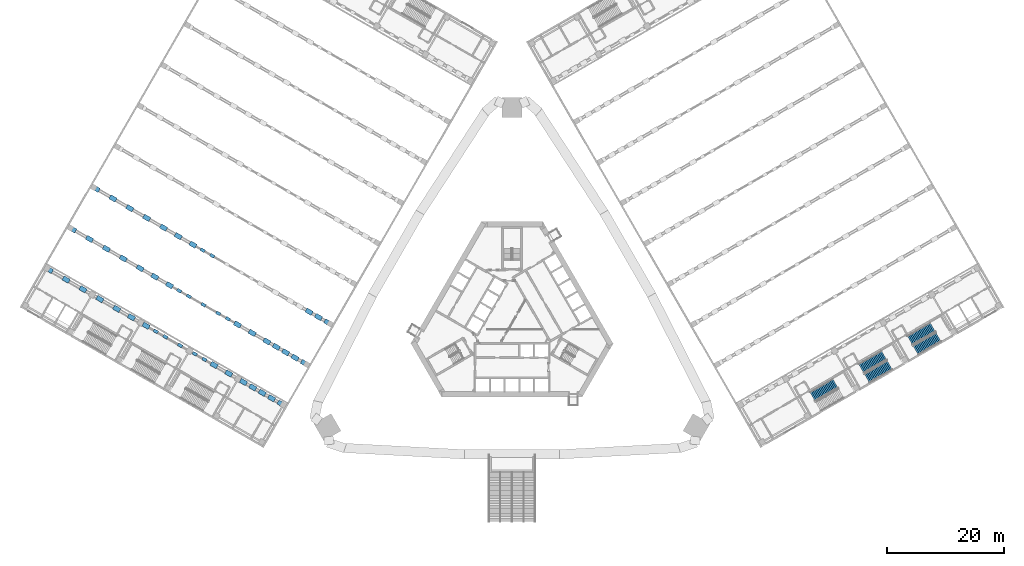
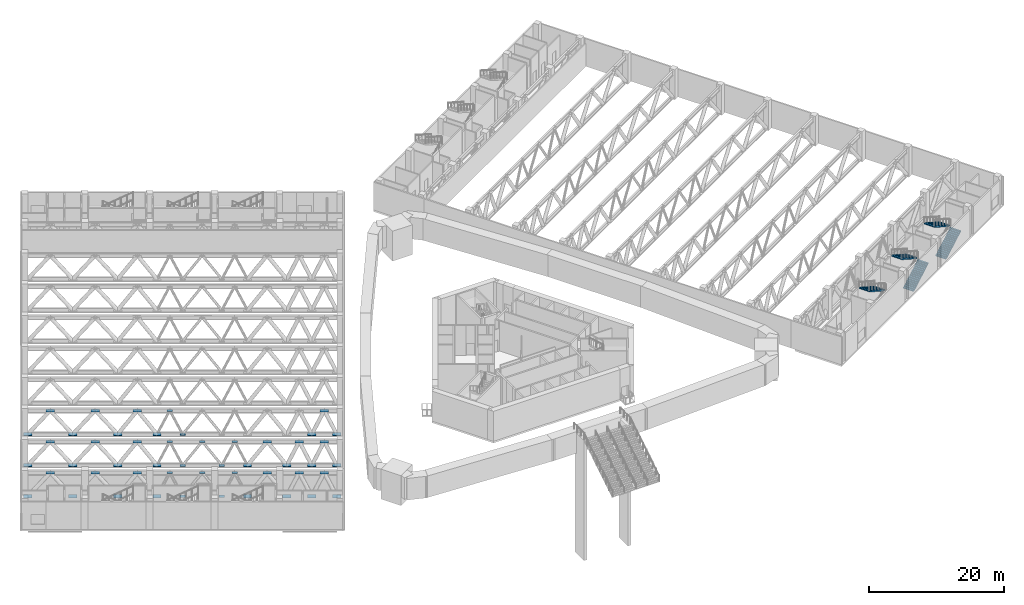
# One storey, part 26 of 37: 50 discrete accessories, 5 stair flights, 3 elements without a shape of their own.
"""IFC4 building model written with IfcOpenShell, lengths in metres."""

from ifc_helpers import new_model, si_unit, direction, frame, origin, place, context, subcontext, project, spatial, polyline, outline, extrude, material, layer, layer_set, type_object, element, aggregate, save


model = new_model("IFC4")

# Units and contexts
model_context = context("Model", 3, precision=1e-05, world=origin(), true_north=direction((0.0, 1.0)))
body_context = subcontext(model_context, "Body", "Model", "MODEL_VIEW")
ifc_project = project(units=[si_unit("LENGTHUNIT", "METRE"), si_unit("AREAUNIT", "SQUARE_METRE"), si_unit("VOLUMEUNIT", "CUBIC_METRE"), si_unit("PLANEANGLEUNIT", "RADIAN"), si_unit("MASSUNIT", "GRAM", prefix="KILO")], contexts=[model_context])

# Site, building, storey
site_placement = place(None, origin())
site = spatial("IfcSite", under=ifc_project, at=site_placement, CompositionType="ELEMENT")
building_placement = place(site_placement, origin())
building = spatial("IfcBuilding", under=site, at=building_placement, Name="Mestral Congress Tower", CompositionType="ELEMENT")
storey_placement = place(building_placement, frame((0.0, 0.0, 16.199951171875)))
storey = spatial("IfcBuildingStorey", under=building, at=storey_placement, Name="L03", CompositionType="ELEMENT", Elevation=16.199951171875)

# Stair, stair flight
ifc_material_1 = material(Name="Concrete C40/50", Category="concrete")
stair_type = type_object("IfcStairType", Name="Podium exit stair 1800", PredefinedType="HALF_TURN_STAIR", material=ifc_material_1)
placement_1 = place(storey_placement, origin())
stair_1 = element("IfcStair", 1, at=placement_1, inside=storey, type_object=stair_type, Name="L03 Exit stair E1", PredefinedType="HALF_TURN_STAIR")
stair_flight_type = type_object("IfcStairFlightType", Name="Podium exit stair flight 1800", PredefinedType="STRAIGHT", material=ifc_material_1)
stair_flight_1_placement = place(storey_placement, frame((55.2197265625, -10.727294921875, 2.699951171875), z_axis=(0.0, 0.0, 1.0), x_axis=(-0.866025403784, -0.5, 0.0)))
stair_flight_1 = element("IfcStairFlight", 2, at=stair_flight_1_placement, type_object=stair_flight_type, Name="PS-E1 flight 2", NumberOfRisers=17, NumberOfTreads=16, PredefinedType="STRAIGHT", RiserHeight=0.158823529, TreadLength=0.28, context=body_context, shape_type="SweptSolid", body=[
    extrude(outline(polyline([(0.0, 0.0), (0.0, 0.158935546875), (0.280029296875, 0.158935546875), (0.280029296875, 0.317626953125), (0.56005859375, 0.317626953125), (0.56005859375, 0.4765625), (0.840087890625, 0.4765625), (0.840087890625, 0.63525390625), (1.1201171875, 0.63525390625), (1.1201171875, 0.794189453125), (1.39990234375, 0.794189453125), (1.39990234375, 0.952880859375), (1.679931640625, 0.952880859375), (1.679931640625, 1.11181640625), (1.9599609375, 1.11181640625), (1.9599609375, 1.2705078125), (2.239990234375, 1.2705078125), (2.239990234375, 1.429443359375), (2.52001953125, 1.429443359375), (2.52001953125, 1.588134765625), (2.800048828125, 1.588134765625), (2.800048828125, 1.7470703125), (3.080078125, 1.7470703125), (3.080078125, 1.90576171875), (3.360107421875, 1.90576171875), (3.360107421875, 2.064697265625), (3.639892578125, 2.064697265625), (3.639892578125, 2.2236328125), (3.919921875, 2.2236328125), (3.919921875, 2.38232421875), (4.199951171875, 2.38232421875), (4.199951171875, 2.541259765625), (4.47998046875, 2.541259765625), (4.47998046875, 2.699951171875), (4.47998046875, 2.368896484375), (0.3037109375, 0.0), (0.0, 0.0)])), frame((0.0, 0.89990234375, 0.0), z_axis=(0.0, -1.0, 0.0), x_axis=(1.0, 0.0, 0.0)), (0.0, 0.0, 1.0), 1.800048828125),
])
aggregate(stair_1, [stair_flight_1])

# Stair, stair flights
stair_2 = element("IfcStair", 3, at=placement_1, inside=storey, type_object=stair_type, Name="L03 Exit stair E2", PredefinedType="HALF_TURN_STAIR")
stair_flight_2_placement = place(storey_placement, frame((60.628662109375, -9.85595703125, 0.0), z_axis=(0.0, 0.0, 1.0), x_axis=(0.866025403784, 0.5, 0.0)))
stair_flight_2 = element("IfcStairFlight", 4, at=stair_flight_2_placement, type_object=stair_flight_type, Name="PS-E2 flight 1", NumberOfRisers=17, NumberOfTreads=16, PredefinedType="STRAIGHT", RiserHeight=0.158823529, TreadLength=0.28, context=body_context, shape_type="SweptSolid", body=[
    extrude(outline(polyline([(0.0, 0.0), (0.0, 0.158935546875), (0.280029296875, 0.158935546875), (0.280029296875, 0.317626953125), (0.56005859375, 0.317626953125), (0.56005859375, 0.4765625), (0.840087890625, 0.4765625), (0.840087890625, 0.63525390625), (1.1201171875, 0.63525390625), (1.1201171875, 0.794189453125), (1.39990234375, 0.794189453125), (1.39990234375, 0.952880859375), (1.679931640625, 0.952880859375), (1.679931640625, 1.11181640625), (1.9599609375, 1.11181640625), (1.9599609375, 1.2705078125), (2.239990234375, 1.2705078125), (2.239990234375, 1.429443359375), (2.52001953125, 1.429443359375), (2.52001953125, 1.588134765625), (2.800048828125, 1.588134765625), (2.800048828125, 1.7470703125), (3.080078125, 1.7470703125), (3.080078125, 1.90576171875), (3.360107421875, 1.90576171875), (3.360107421875, 2.064697265625), (3.639892578125, 2.064697265625), (3.639892578125, 2.2236328125), (3.919921875, 2.2236328125), (3.919921875, 2.38232421875), (4.199951171875, 2.38232421875), (4.199951171875, 2.541259765625), (4.47998046875, 2.541259765625), (4.47998046875, 2.699951171875), (4.47998046875, 2.368896484375), (0.3037109375, 0.0), (0.0, 0.0)])), frame((0.0, 0.89990234375, 0.0), z_axis=(0.0, -1.0, 0.0), x_axis=(1.0, 0.0, 0.0)), (0.0, 0.0, 1.0), 1.800048828125),
])
stair_flight_3_placement = place(storey_placement, frame((63.533447265625, -5.92724609375, 2.699951171875), z_axis=(0.0, 0.0, 1.0), x_axis=(-0.866025403784, -0.5, 0.0)))
stair_flight_3 = element("IfcStairFlight", 5, at=stair_flight_3_placement, type_object=stair_flight_type, Name="PS-E2 flight 2", NumberOfRisers=17, NumberOfTreads=16, PredefinedType="STRAIGHT", RiserHeight=0.158823529, TreadLength=0.28, context=body_context, shape_type="SweptSolid", body=[
    extrude(outline(polyline([(0.0, 0.0), (0.0, 0.158935546875), (0.280029296875, 0.158935546875), (0.280029296875, 0.317626953125), (0.56005859375, 0.317626953125), (0.56005859375, 0.4765625), (0.840087890625, 0.4765625), (0.840087890625, 0.63525390625), (1.1201171875, 0.63525390625), (1.1201171875, 0.794189453125), (1.39990234375, 0.794189453125), (1.39990234375, 0.952880859375), (1.679931640625, 0.952880859375), (1.679931640625, 1.11181640625), (1.9599609375, 1.11181640625), (1.9599609375, 1.2705078125), (2.239990234375, 1.2705078125), (2.239990234375, 1.429443359375), (2.52001953125, 1.429443359375), (2.52001953125, 1.588134765625), (2.800048828125, 1.588134765625), (2.800048828125, 1.7470703125), (3.080078125, 1.7470703125), (3.080078125, 1.90576171875), (3.360107421875, 1.90576171875), (3.360107421875, 2.064697265625), (3.639892578125, 2.064697265625), (3.639892578125, 2.2236328125), (3.919921875, 2.2236328125), (3.919921875, 2.38232421875), (4.199951171875, 2.38232421875), (4.199951171875, 2.541259765625), (4.47998046875, 2.541259765625), (4.47998046875, 2.699951171875), (4.47998046875, 2.368896484375), (0.3037109375, 0.0), (0.0, 0.0)])), frame((0.0, 0.89990234375, 0.0), z_axis=(0.0, -1.0, 0.0), x_axis=(1.0, 0.0, 0.0)), (0.0, 0.0, 1.0), 1.800048828125),
])
aggregate(stair_2, [stair_flight_2, stair_flight_3])

stair_3 = element("IfcStair", 6, at=placement_1, inside=storey, type_object=stair_type, Name="L03 Exit stair E3", PredefinedType="HALF_TURN_STAIR")
stair_flight_4_placement = place(storey_placement, frame((68.942626953125, -5.05615234375, 0.0), z_axis=(0.0, 0.0, 1.0), x_axis=(0.866025403784, 0.5, 0.0)))
stair_flight_4 = element("IfcStairFlight", 7, at=stair_flight_4_placement, type_object=stair_flight_type, Name="PS-E3 flight 1", NumberOfRisers=17, NumberOfTreads=16, PredefinedType="STRAIGHT", RiserHeight=0.158823529, TreadLength=0.28, context=body_context, shape_type="SweptSolid", body=[
    extrude(outline(polyline([(0.0, 0.0), (0.0, 0.158935546875), (0.280029296875, 0.158935546875), (0.280029296875, 0.317626953125), (0.56005859375, 0.317626953125), (0.56005859375, 0.4765625), (0.840087890625, 0.4765625), (0.840087890625, 0.63525390625), (1.1201171875, 0.63525390625), (1.1201171875, 0.794189453125), (1.39990234375, 0.794189453125), (1.39990234375, 0.952880859375), (1.679931640625, 0.952880859375), (1.679931640625, 1.11181640625), (1.9599609375, 1.11181640625), (1.9599609375, 1.2705078125), (2.239990234375, 1.2705078125), (2.239990234375, 1.429443359375), (2.52001953125, 1.429443359375), (2.52001953125, 1.588134765625), (2.800048828125, 1.588134765625), (2.800048828125, 1.7470703125), (3.080078125, 1.7470703125), (3.080078125, 1.90576171875), (3.360107421875, 1.90576171875), (3.360107421875, 2.064697265625), (3.639892578125, 2.064697265625), (3.639892578125, 2.2236328125), (3.919921875, 2.2236328125), (3.919921875, 2.38232421875), (4.199951171875, 2.38232421875), (4.199951171875, 2.541259765625), (4.47998046875, 2.541259765625), (4.47998046875, 2.699951171875), (4.47998046875, 2.368896484375), (0.3037109375, 0.0), (0.0, 0.0)])), frame((0.0, 0.89990234375, 0.0), z_axis=(0.0, -1.0, 0.0), x_axis=(1.0, 0.0, 0.0)), (0.0, 0.0, 1.0), 1.800048828125),
])
stair_flight_5_placement = place(storey_placement, frame((71.847412109375, -1.12744140625, 2.699951171875), z_axis=(0.0, 0.0, 1.0), x_axis=(-0.866025403784, -0.5, 0.0)))
stair_flight_5 = element("IfcStairFlight", 8, at=stair_flight_5_placement, type_object=stair_flight_type, Name="PS-E3 flight 2", NumberOfRisers=17, NumberOfTreads=16, PredefinedType="STRAIGHT", RiserHeight=0.158823529, TreadLength=0.28, context=body_context, shape_type="SweptSolid", body=[
    extrude(outline(polyline([(0.0, 0.0), (0.0, 0.158935546875), (0.280029296875, 0.158935546875), (0.280029296875, 0.317626953125), (0.56005859375, 0.317626953125), (0.56005859375, 0.4765625), (0.840087890625, 0.4765625), (0.840087890625, 0.63525390625), (1.1201171875, 0.63525390625), (1.1201171875, 0.794189453125), (1.39990234375, 0.794189453125), (1.39990234375, 0.952880859375), (1.679931640625, 0.952880859375), (1.679931640625, 1.11181640625), (1.9599609375, 1.11181640625), (1.9599609375, 1.2705078125), (2.239990234375, 1.2705078125), (2.239990234375, 1.429443359375), (2.52001953125, 1.429443359375), (2.52001953125, 1.588134765625), (2.800048828125, 1.588134765625), (2.800048828125, 1.7470703125), (3.080078125, 1.7470703125), (3.080078125, 1.90576171875), (3.360107421875, 1.90576171875), (3.360107421875, 2.064697265625), (3.639892578125, 2.064697265625), (3.639892578125, 2.2236328125), (3.919921875, 2.2236328125), (3.919921875, 2.38232421875), (4.199951171875, 2.38232421875), (4.199951171875, 2.541259765625), (4.47998046875, 2.541259765625), (4.47998046875, 2.699951171875), (4.47998046875, 2.368896484375), (0.3037109375, 0.0), (0.0, 0.0)])), frame((0.0, 0.89990234375, 0.0), z_axis=(0.0, -1.0, 0.0), x_axis=(1.0, 0.0, 0.0)), (0.0, 0.0, 1.0), 1.800048828125),
])
aggregate(stair_3, [stair_flight_4, stair_flight_5])

# Discrete accessories
ifc_material_2 = material(Name="Steel S355", Category="steel")
ifc_layer_1 = layer(ifc_material_2, 0.02490234375)
ifc_layer_set_1 = layer_set([ifc_layer_1], Name="Steel S355")
discrete_accessory_type_1 = type_object("IfcDiscreteAccessoryType", Name="Brace end gusset plate 25 S355", PredefinedType="BRACKET", material=ifc_layer_set_1)
placement_2 = place(storey_placement, frame((0.0, 0.0, 4.6875)))
element("IfcDiscreteAccessory", 9, at=placement_2, inside=storey, type_object=discrete_accessory_type_1, Name="Brace end gusset plate 25 S355", PredefinedType="BRACKET", context=body_context, shape_type="SweptSolid", body=[
    extrude(outline(polyline([(-61.3251953125, -1.849365234375), (-60.62109375, -2.255859375), (-60.357177734375, -1.798095703125), (-61.06103515625, -1.391845703125), (-61.3251953125, -1.849365234375)])), origin(), (0.0, 0.0, 1.0), 0.025146484375),
])
placement_3 = place(storey_placement, frame((0.0, 0.0, 0.387451171875)))
element("IfcDiscreteAccessory", 10, at=placement_3, inside=storey, type_object=discrete_accessory_type_1, Name="Brace end gusset plate 25 S355", PredefinedType="BRACKET", context=body_context, shape_type="SweptSolid", body=[
    extrude(outline(polyline([(-59.6796875, -2.79931640625), (-58.9755859375, -3.205810546875), (-58.711669921875, -2.748291015625), (-59.41552734375, -2.341796875), (-59.6796875, -2.79931640625)])), origin(), (0.0, 0.0, 1.0), 0.025146484375),
])
element("IfcDiscreteAccessory", 11, at=placement_2, inside=storey, type_object=discrete_accessory_type_1, Name="Brace end gusset plate 25 S355", PredefinedType="BRACKET", context=body_context, shape_type="SweptSolid", body=[
    extrude(outline(polyline([(-57.3251953125, 5.078857421875), (-56.62109375, 4.67236328125), (-56.357177734375, 5.1298828125), (-57.06103515625, 5.536376953125), (-57.3251953125, 5.078857421875)])), origin(), (0.0, 0.0, 1.0), 0.025146484375),
])
element("IfcDiscreteAccessory", 12, at=placement_2, inside=storey, type_object=discrete_accessory_type_1, Name="Brace end gusset plate 25 S355", PredefinedType="BRACKET", context=body_context, shape_type="SweptSolid", body=[
    extrude(outline(polyline([(-57.168212890625, -4.24951171875), (-56.464111328125, -4.65576171875), (-56.2001953125, -4.1982421875), (-56.904052734375, -3.791748046875), (-57.168212890625, -4.24951171875)])), origin(), (0.0, 0.0, 1.0), 0.025146484375),
])
element("IfcDiscreteAccessory", 13, at=placement_3, inside=storey, type_object=discrete_accessory_type_1, Name="Brace end gusset plate 25 S355", PredefinedType="BRACKET", context=body_context, shape_type="SweptSolid", body=[
    extrude(outline(polyline([(-55.6796875, 4.12890625), (-54.9755859375, 3.722412109375), (-54.711669921875, 4.179931640625), (-55.41552734375, 4.58642578125), (-55.6796875, 4.12890625)])), origin(), (0.0, 0.0, 1.0), 0.025146484375),
])
element("IfcDiscreteAccessory", 14, at=placement_3, inside=storey, type_object=discrete_accessory_type_1, Name="Brace end gusset plate 25 S355", PredefinedType="BRACKET", context=body_context, shape_type="SweptSolid", body=[
    extrude(outline(polyline([(-54.65673828125, -5.699462890625), (-53.952880859375, -6.105712890625), (-53.688720703125, -5.648193359375), (-54.392578125, -5.24169921875), (-54.65673828125, -5.699462890625)])), origin(), (0.0, 0.0, 1.0), 0.025146484375),
])
element("IfcDiscreteAccessory", 15, at=placement_2, inside=storey, type_object=discrete_accessory_type_1, Name="Brace end gusset plate 25 S355", PredefinedType="BRACKET", context=body_context, shape_type="SweptSolid", body=[
    extrude(outline(polyline([(-53.3251953125, 12.007080078125), (-52.62109375, 11.6005859375), (-52.357177734375, 12.05810546875), (-53.06103515625, 12.464599609375), (-53.3251953125, 12.007080078125)])), origin(), (0.0, 0.0, 1.0), 0.025146484375),
])
element("IfcDiscreteAccessory", 16, at=placement_2, inside=storey, type_object=discrete_accessory_type_1, Name="Brace end gusset plate 25 S355", PredefinedType="BRACKET", context=body_context, shape_type="SweptSolid", body=[
    extrude(outline(polyline([(-53.168212890625, 2.6787109375), (-52.464111328125, 2.2724609375), (-52.2001953125, 2.72998046875), (-52.904052734375, 3.136474609375), (-53.168212890625, 2.6787109375)])), origin(), (0.0, 0.0, 1.0), 0.025146484375),
])
element("IfcDiscreteAccessory", 17, at=placement_2, inside=storey, type_object=discrete_accessory_type_1, Name="Brace end gusset plate 25 S355", PredefinedType="BRACKET", context=body_context, shape_type="SweptSolid", body=[
    extrude(outline(polyline([(-53.01123046875, -6.6494140625), (-52.307373046875, -7.055908203125), (-52.043212890625, -6.59814453125), (-52.7470703125, -6.19189453125), (-53.01123046875, -6.6494140625)])), origin(), (0.0, 0.0, 1.0), 0.025146484375),
])
element("IfcDiscreteAccessory", 18, at=placement_3, inside=storey, type_object=discrete_accessory_type_1, Name="Brace end gusset plate 25 S355", PredefinedType="BRACKET", context=body_context, shape_type="SweptSolid", body=[
    extrude(outline(polyline([(-51.6796875, 11.056884765625), (-50.9755859375, 10.650634765625), (-50.711669921875, 11.108154296875), (-51.41552734375, 11.5146484375), (-51.6796875, 11.056884765625)])), origin(), (0.0, 0.0, 1.0), 0.025146484375),
])
element("IfcDiscreteAccessory", 19, at=placement_3, inside=storey, type_object=discrete_accessory_type_1, Name="Brace end gusset plate 25 S355", PredefinedType="BRACKET", context=body_context, shape_type="SweptSolid", body=[
    extrude(outline(polyline([(-50.65673828125, 1.228759765625), (-49.952880859375, 0.822509765625), (-49.688720703125, 1.280029296875), (-50.392578125, 1.686279296875), (-50.65673828125, 1.228759765625)])), origin(), (0.0, 0.0, 1.0), 0.025146484375),
])
element("IfcDiscreteAccessory", 20, at=placement_2, inside=storey, type_object=discrete_accessory_type_1, Name="Brace end gusset plate 25 S355", PredefinedType="BRACKET", context=body_context, shape_type="SweptSolid", body=[
    extrude(outline(polyline([(-49.01123046875, 0.27880859375), (-48.307373046875, -0.127685546875), (-48.043212890625, 0.330078125), (-48.7470703125, 0.736328125), (-49.01123046875, 0.27880859375)])), origin(), (0.0, 0.0, 1.0), 0.025146484375),
])
ifc_layer_2 = layer(ifc_material_2, 0.034912109375)
ifc_layer_set_2 = layer_set([ifc_layer_2], Name="Steel S355")
discrete_accessory_type_2 = type_object("IfcDiscreteAccessoryType", Name="Brace end gusset plate 35 S355", PredefinedType="BRACKET", material=ifc_layer_set_2)
placement_4 = place(storey_placement, frame((0.0, 0.0, 0.382568359375)))
element("IfcDiscreteAccessory", 21, at=placement_4, inside=storey, type_object=discrete_accessory_type_2, Name="Brace end gusset plate 35 S355", PredefinedType="BRACKET", context=body_context, shape_type="SweptSolid", body=[
    extrude(outline(polyline([(-79.754150390625, 8.6376953125), (-78.697509765625, 8.02783203125), (-78.301025390625, 8.714599609375), (-79.357666015625, 9.32470703125), (-79.754150390625, 8.6376953125)])), origin(), (0.0, 0.0, 1.0), 0.034912109375),
])
placement_5 = place(storey_placement, frame((0.0, 0.0, 4.6826171875)))
element("IfcDiscreteAccessory", 22, at=placement_5, inside=storey, type_object=discrete_accessory_type_2, Name="Brace end gusset plate 35 S355", PredefinedType="BRACKET", context=body_context, shape_type="SweptSolid", body=[
    extrude(outline(polyline([(-76.87451171875, 6.975341796875), (-75.818115234375, 6.365234375), (-75.421630859375, 7.052001953125), (-76.47802734375, 7.662109375), (-76.87451171875, 6.975341796875)])), origin(), (0.0, 0.0, 1.0), 0.034912109375),
])
element("IfcDiscreteAccessory", 23, at=placement_4, inside=storey, type_object=discrete_accessory_type_2, Name="Brace end gusset plate 35 S355", PredefinedType="BRACKET", context=body_context, shape_type="SweptSolid", body=[
    extrude(outline(polyline([(-75.754150390625, 15.56591796875), (-74.697509765625, 14.9560546875), (-74.301025390625, 15.642822265625), (-75.357666015625, 16.252685546875), (-75.754150390625, 15.56591796875)])), origin(), (0.0, 0.0, 1.0), 0.034912109375),
])
element("IfcDiscreteAccessory", 24, at=placement_4, inside=storey, type_object=discrete_accessory_type_2, Name="Brace end gusset plate 35 S355", PredefinedType="BRACKET", context=body_context, shape_type="SweptSolid", body=[
    extrude(outline(polyline([(-73.9951171875, 5.312744140625), (-72.9384765625, 4.702880859375), (-72.5419921875, 5.3896484375), (-73.598388671875, 5.99951171875), (-73.9951171875, 5.312744140625)])), origin(), (0.0, 0.0, 1.0), 0.034912109375),
])
element("IfcDiscreteAccessory", 25, at=placement_5, inside=storey, type_object=discrete_accessory_type_2, Name="Brace end gusset plate 35 S355", PredefinedType="BRACKET", context=body_context, shape_type="SweptSolid", body=[
    extrude(outline(polyline([(-72.87451171875, 13.903564453125), (-71.818115234375, 13.29345703125), (-71.421630859375, 13.980224609375), (-72.47802734375, 14.59033203125), (-72.87451171875, 13.903564453125)])), origin(), (0.0, 0.0, 1.0), 0.034912109375),
])
element("IfcDiscreteAccessory", 26, at=placement_4, inside=storey, type_object=discrete_accessory_type_2, Name="Brace end gusset plate 35 S355", PredefinedType="BRACKET", context=body_context, shape_type="SweptSolid", body=[
    extrude(outline(polyline([(-71.754150390625, 22.494140625), (-70.697509765625, 21.88427734375), (-70.301025390625, 22.571044921875), (-71.357666015625, 23.180908203125), (-71.754150390625, 22.494140625)])), origin(), (0.0, 0.0, 1.0), 0.034912109375),
])
element("IfcDiscreteAccessory", 27, at=placement_5, inside=storey, type_object=discrete_accessory_type_2, Name="Brace end gusset plate 35 S355", PredefinedType="BRACKET", context=body_context, shape_type="SweptSolid", body=[
    extrude(outline(polyline([(-71.115478515625, 3.650390625), (-70.05908203125, 3.040283203125), (-69.66259765625, 3.72705078125), (-70.718994140625, 4.337158203125), (-71.115478515625, 3.650390625)])), origin(), (0.0, 0.0, 1.0), 0.034912109375),
])
element("IfcDiscreteAccessory", 28, at=placement_4, inside=storey, type_object=discrete_accessory_type_2, Name="Brace end gusset plate 35 S355", PredefinedType="BRACKET", context=body_context, shape_type="SweptSolid", body=[
    extrude(outline(polyline([(-69.9951171875, 12.240966796875), (-68.9384765625, 11.631103515625), (-68.5419921875, 12.31787109375), (-69.598388671875, 12.927734375), (-69.9951171875, 12.240966796875)])), origin(), (0.0, 0.0, 1.0), 0.034912109375),
])
element("IfcDiscreteAccessory", 29, at=placement_5, inside=storey, type_object=discrete_accessory_type_2, Name="Brace end gusset plate 35 S355", PredefinedType="BRACKET", context=body_context, shape_type="SweptSolid", body=[
    extrude(outline(polyline([(-68.87451171875, 20.831787109375), (-67.818115234375, 20.2216796875), (-67.421630859375, 20.908447265625), (-68.47802734375, 21.5185546875), (-68.87451171875, 20.831787109375)])), origin(), (0.0, 0.0, 1.0), 0.034912109375),
])
element("IfcDiscreteAccessory", 30, at=placement_4, inside=storey, type_object=discrete_accessory_type_2, Name="Brace end gusset plate 35 S355", PredefinedType="BRACKET", context=body_context, shape_type="SweptSolid", body=[
    extrude(outline(polyline([(-68.236083984375, 1.98779296875), (-67.179443359375, 1.377685546875), (-66.782958984375, 2.064697265625), (-67.839599609375, 2.674560546875), (-68.236083984375, 1.98779296875)])), origin(), (0.0, 0.0, 1.0), 0.034912109375),
])
element("IfcDiscreteAccessory", 31, at=placement_5, inside=storey, type_object=discrete_accessory_type_2, Name="Brace end gusset plate 35 S355", PredefinedType="BRACKET", context=body_context, shape_type="SweptSolid", body=[
    extrude(outline(polyline([(-67.115478515625, 10.57861328125), (-66.05908203125, 9.968505859375), (-65.66259765625, 10.6552734375), (-66.718994140625, 11.265380859375), (-67.115478515625, 10.57861328125)])), origin(), (0.0, 0.0, 1.0), 0.034912109375),
])
element("IfcDiscreteAccessory", 32, at=placement_4, inside=storey, type_object=discrete_accessory_type_2, Name="Brace end gusset plate 35 S355", PredefinedType="BRACKET", context=body_context, shape_type="SweptSolid", body=[
    extrude(outline(polyline([(-65.9951171875, 19.169189453125), (-64.9384765625, 18.55908203125), (-64.5419921875, 19.24609375), (-65.598388671875, 19.85595703125), (-65.9951171875, 19.169189453125)])), origin(), (0.0, 0.0, 1.0), 0.034912109375),
])
element("IfcDiscreteAccessory", 33, at=placement_5, inside=storey, type_object=discrete_accessory_type_2, Name="Brace end gusset plate 35 S355", PredefinedType="BRACKET", context=body_context, shape_type="SweptSolid", body=[
    extrude(outline(polyline([(-65.724609375, 0.537841796875), (-64.66796875, -0.072265625), (-64.271484375, 0.614501953125), (-65.327880859375, 1.224609375), (-65.724609375, 0.537841796875)])), origin(), (0.0, 0.0, 1.0), 0.034912109375),
])
element("IfcDiscreteAccessory", 34, at=placement_4, inside=storey, type_object=discrete_accessory_type_2, Name="Brace end gusset plate 35 S355", PredefinedType="BRACKET", context=body_context, shape_type="SweptSolid", body=[
    extrude(outline(polyline([(-64.236083984375, 8.916015625), (-63.179443359375, 8.305908203125), (-62.782958984375, 8.992919921875), (-63.839599609375, 9.602783203125), (-64.236083984375, 8.916015625)])), origin(), (0.0, 0.0, 1.0), 0.034912109375),
])
element("IfcDiscreteAccessory", 35, at=placement_4, inside=storey, type_object=discrete_accessory_type_2, Name="Brace end gusset plate 35 S355", PredefinedType="BRACKET", context=body_context, shape_type="SweptSolid", body=[
    extrude(outline(polyline([(-61.760009765625, -0.83544921875), (-62.81640625, -0.225341796875), (-63.212890625, -0.912109375), (-62.156494140625, -1.522216796875), (-61.760009765625, -0.83544921875)])), origin(), (0.0, 0.0, 1.0), 0.034912109375),
])
element("IfcDiscreteAccessory", 36, at=placement_5, inside=storey, type_object=discrete_accessory_type_2, Name="Brace end gusset plate 35 S355", PredefinedType="BRACKET", context=body_context, shape_type="SweptSolid", body=[
    extrude(outline(polyline([(-63.115478515625, 17.506591796875), (-62.05908203125, 16.896728515625), (-61.66259765625, 17.58349609375), (-62.718994140625, 18.193603515625), (-63.115478515625, 17.506591796875)])), origin(), (0.0, 0.0, 1.0), 0.034912109375),
])
element("IfcDiscreteAccessory", 37, at=placement_5, inside=storey, type_object=discrete_accessory_type_2, Name="Brace end gusset plate 35 S355", PredefinedType="BRACKET", context=body_context, shape_type="SweptSolid", body=[
    extrude(outline(polyline([(-61.724609375, 7.466064453125), (-60.66796875, 6.85595703125), (-60.271484375, 7.542724609375), (-61.327880859375, 8.15283203125), (-61.724609375, 7.466064453125)])), origin(), (0.0, 0.0, 1.0), 0.034912109375),
])
element("IfcDiscreteAccessory", 38, at=placement_4, inside=storey, type_object=discrete_accessory_type_2, Name="Brace end gusset plate 35 S355", PredefinedType="BRACKET", context=body_context, shape_type="SweptSolid", body=[
    extrude(outline(polyline([(-60.236083984375, 15.84423828125), (-59.179443359375, 15.234130859375), (-58.782958984375, 15.9208984375), (-59.839599609375, 16.531005859375), (-60.236083984375, 15.84423828125)])), origin(), (0.0, 0.0, 1.0), 0.034912109375),
])
element("IfcDiscreteAccessory", 39, at=placement_4, inside=storey, type_object=discrete_accessory_type_2, Name="Brace end gusset plate 35 S355", PredefinedType="BRACKET", context=body_context, shape_type="SweptSolid", body=[
    extrude(outline(polyline([(-57.760009765625, 6.0927734375), (-58.81640625, 6.702880859375), (-59.212890625, 6.01611328125), (-58.156494140625, 5.406005859375), (-57.760009765625, 6.0927734375)])), origin(), (0.0, 0.0, 1.0), 0.034912109375),
])
element("IfcDiscreteAccessory", 40, at=placement_5, inside=storey, type_object=discrete_accessory_type_2, Name="Brace end gusset plate 35 S355", PredefinedType="BRACKET", context=body_context, shape_type="SweptSolid", body=[
    extrude(outline(polyline([(-57.724609375, 14.394287109375), (-56.66796875, 13.7841796875), (-56.271484375, 14.470947265625), (-57.327880859375, 15.0810546875), (-57.724609375, 14.394287109375)])), origin(), (0.0, 0.0, 1.0), 0.034912109375),
])
element("IfcDiscreteAccessory", 41, at=placement_4, inside=storey, type_object=discrete_accessory_type_2, Name="Brace end gusset plate 35 S355", PredefinedType="BRACKET", context=body_context, shape_type="SweptSolid", body=[
    extrude(outline(polyline([(-53.760009765625, 13.02099609375), (-54.81640625, 13.631103515625), (-55.212890625, 12.944091796875), (-54.156494140625, 12.334228515625), (-53.760009765625, 13.02099609375)])), origin(), (0.0, 0.0, 1.0), 0.034912109375),
])
element("IfcDiscreteAccessory", 42, at=placement_4, inside=storey, type_object=discrete_accessory_type_2, Name="Brace end gusset plate 35 S355", PredefinedType="BRACKET", context=body_context, shape_type="SweptSolid", body=[
    extrude(outline(polyline([(-51.6083984375, -7.6123046875), (-50.5517578125, -8.22216796875), (-50.1552734375, -7.535400390625), (-51.2119140625, -6.92529296875), (-51.6083984375, -7.6123046875)])), origin(), (0.0, 0.0, 1.0), 0.034912109375),
])
element("IfcDiscreteAccessory", 43, at=placement_5, inside=storey, type_object=discrete_accessory_type_2, Name="Brace end gusset plate 35 S355", PredefinedType="BRACKET", context=body_context, shape_type="SweptSolid", body=[
    extrude(outline(polyline([(-49.0966796875, -9.062255859375), (-48.040283203125, -9.672119140625), (-47.643798828125, -8.9853515625), (-48.7001953125, -8.37548828125), (-49.0966796875, -9.062255859375)])), origin(), (0.0, 0.0, 1.0), 0.034912109375),
])
element("IfcDiscreteAccessory", 44, at=placement_4, inside=storey, type_object=discrete_accessory_type_2, Name="Brace end gusset plate 35 S355", PredefinedType="BRACKET", context=body_context, shape_type="SweptSolid", body=[
    extrude(outline(polyline([(-47.6083984375, -0.68408203125), (-46.5517578125, -1.2939453125), (-46.1552734375, -0.607177734375), (-47.2119140625, 0.002685546875), (-47.6083984375, -0.68408203125)])), origin(), (0.0, 0.0, 1.0), 0.034912109375),
])
element("IfcDiscreteAccessory", 45, at=placement_4, inside=storey, type_object=discrete_accessory_type_2, Name="Brace end gusset plate 35 S355", PredefinedType="BRACKET", context=body_context, shape_type="SweptSolid", body=[
    extrude(outline(polyline([(-46.585205078125, -10.51220703125), (-45.52880859375, -11.122314453125), (-45.13232421875, -10.435302734375), (-46.188720703125, -9.825439453125), (-46.585205078125, -10.51220703125)])), origin(), (0.0, 0.0, 1.0), 0.034912109375),
])
element("IfcDiscreteAccessory", 46, at=placement_5, inside=storey, type_object=discrete_accessory_type_2, Name="Brace end gusset plate 35 S355", PredefinedType="BRACKET", context=body_context, shape_type="SweptSolid", body=[
    extrude(outline(polyline([(-45.0966796875, -2.134033203125), (-44.040283203125, -2.743896484375), (-43.643798828125, -2.05712890625), (-44.7001953125, -1.447265625), (-45.0966796875, -2.134033203125)])), origin(), (0.0, 0.0, 1.0), 0.034912109375),
])
element("IfcDiscreteAccessory", 47, at=placement_5, inside=storey, type_object=discrete_accessory_type_2, Name="Brace end gusset plate 35 S355", PredefinedType="BRACKET", context=body_context, shape_type="SweptSolid", body=[
    extrude(outline(polyline([(-44.983154296875, -11.437255859375), (-43.9267578125, -12.047119140625), (-43.5302734375, -11.3603515625), (-44.586669921875, -10.75048828125), (-44.983154296875, -11.437255859375)])), origin(), (0.0, 0.0, 1.0), 0.034912109375),
])
element("IfcDiscreteAccessory", 48, at=placement_4, inside=storey, type_object=discrete_accessory_type_2, Name="Brace end gusset plate 35 S355", PredefinedType="BRACKET", context=body_context, shape_type="SweptSolid", body=[
    extrude(outline(polyline([(-43.381103515625, -12.3623046875), (-42.324462890625, -12.97216796875), (-41.927978515625, -12.285400390625), (-42.984619140625, -11.67529296875), (-43.381103515625, -12.3623046875)])), origin(), (0.0, 0.0, 1.0), 0.034912109375),
])
element("IfcDiscreteAccessory", 49, at=placement_4, inside=storey, type_object=discrete_accessory_type_2, Name="Brace end gusset plate 35 S355", PredefinedType="BRACKET", context=body_context, shape_type="SweptSolid", body=[
    extrude(outline(polyline([(-42.585205078125, -3.583984375), (-41.52880859375, -4.194091796875), (-41.13232421875, -3.507080078125), (-42.188720703125, -2.897216796875), (-42.585205078125, -3.583984375)])), origin(), (0.0, 0.0, 1.0), 0.034912109375),
])
element("IfcDiscreteAccessory", 50, at=placement_5, inside=storey, type_object=discrete_accessory_type_2, Name="Brace end gusset plate 35 S355", PredefinedType="BRACKET", context=body_context, shape_type="SweptSolid", body=[
    extrude(outline(polyline([(-41.77880859375, -13.287109375), (-40.722412109375, -13.897216796875), (-40.325927734375, -13.21044921875), (-41.38232421875, -12.600341796875), (-41.77880859375, -13.287109375)])), origin(), (0.0, 0.0, 1.0), 0.034912109375),
])
element("IfcDiscreteAccessory", 51, at=placement_5, inside=storey, type_object=discrete_accessory_type_2, Name="Brace end gusset plate 35 S355", PredefinedType="BRACKET", context=body_context, shape_type="SweptSolid", body=[
    extrude(outline(polyline([(-40.983154296875, -4.509033203125), (-39.9267578125, -5.118896484375), (-39.5302734375, -4.43212890625), (-40.586669921875, -3.822265625), (-40.983154296875, -4.509033203125)])), origin(), (0.0, 0.0, 1.0), 0.034912109375),
])
element("IfcDiscreteAccessory", 52, at=placement_4, inside=storey, type_object=discrete_accessory_type_2, Name="Brace end gusset plate 35 S355", PredefinedType="BRACKET", context=body_context, shape_type="SweptSolid", body=[
    extrude(outline(polyline([(-38.7236328125, -14.135498046875), (-39.7802734375, -13.525390625), (-40.1767578125, -14.212158203125), (-39.1201171875, -14.822265625), (-38.7236328125, -14.135498046875)])), origin(), (0.0, 0.0, 1.0), 0.034912109375),
])
element("IfcDiscreteAccessory", 53, at=placement_4, inside=storey, type_object=discrete_accessory_type_2, Name="Brace end gusset plate 35 S355", PredefinedType="BRACKET", context=body_context, shape_type="SweptSolid", body=[
    extrude(outline(polyline([(-39.381103515625, -5.43408203125), (-38.324462890625, -6.0439453125), (-37.927978515625, -5.357177734375), (-38.984619140625, -4.747314453125), (-39.381103515625, -5.43408203125)])), origin(), (0.0, 0.0, 1.0), 0.034912109375),
])
element("IfcDiscreteAccessory", 54, at=placement_5, inside=storey, type_object=discrete_accessory_type_2, Name="Brace end gusset plate 35 S355", PredefinedType="BRACKET", context=body_context, shape_type="SweptSolid", body=[
    extrude(outline(polyline([(-37.77880859375, -6.35888671875), (-36.722412109375, -6.968994140625), (-36.325927734375, -6.2822265625), (-37.38232421875, -5.672119140625), (-37.77880859375, -6.35888671875)])), origin(), (0.0, 0.0, 1.0), 0.034912109375),
])
element("IfcDiscreteAccessory", 55, at=placement_4, inside=storey, type_object=discrete_accessory_type_2, Name="Brace end gusset plate 35 S355", PredefinedType="BRACKET", context=body_context, shape_type="SweptSolid", body=[
    extrude(outline(polyline([(-34.7236328125, -7.207275390625), (-35.7802734375, -6.59716796875), (-36.1767578125, -7.283935546875), (-35.1201171875, -7.89404296875), (-34.7236328125, -7.207275390625)])), origin(), (0.0, 0.0, 1.0), 0.034912109375),
])
element("IfcDiscreteAccessory", 56, at=placement_4, inside=storey, type_object=discrete_accessory_type_2, Name="Brace end gusset plate 35 S355", PredefinedType="BRACKET", context=body_context, shape_type="SweptSolid", body=[
    extrude(outline(polyline([(-35.381103515625, 1.494140625), (-34.324462890625, 0.88427734375), (-33.927978515625, 1.571044921875), (-34.984619140625, 2.180908203125), (-35.381103515625, 1.494140625)])), origin(), (0.0, 0.0, 1.0), 0.034912109375),
])
element("IfcDiscreteAccessory", 57, at=placement_5, inside=storey, type_object=discrete_accessory_type_2, Name="Brace end gusset plate 35 S355", PredefinedType="BRACKET", context=body_context, shape_type="SweptSolid", body=[
    extrude(outline(polyline([(-33.77880859375, 0.569091796875), (-32.722412109375, -0.040771484375), (-32.325927734375, 0.64599609375), (-33.38232421875, 1.256103515625), (-33.77880859375, 0.569091796875)])), origin(), (0.0, 0.0, 1.0), 0.034912109375),
])
element("IfcDiscreteAccessory", 58, at=placement_4, inside=storey, type_object=discrete_accessory_type_2, Name="Brace end gusset plate 35 S355", PredefinedType="BRACKET", context=body_context, shape_type="SweptSolid", body=[
    extrude(outline(polyline([(-30.7236328125, -0.279052734375), (-31.7802734375, 0.3310546875), (-32.1767578125, -0.355712890625), (-31.1201171875, -0.9658203125), (-30.7236328125, -0.279052734375)])), origin(), (0.0, 0.0, 1.0), 0.034912109375),
])

save(model, "model.ifc")
